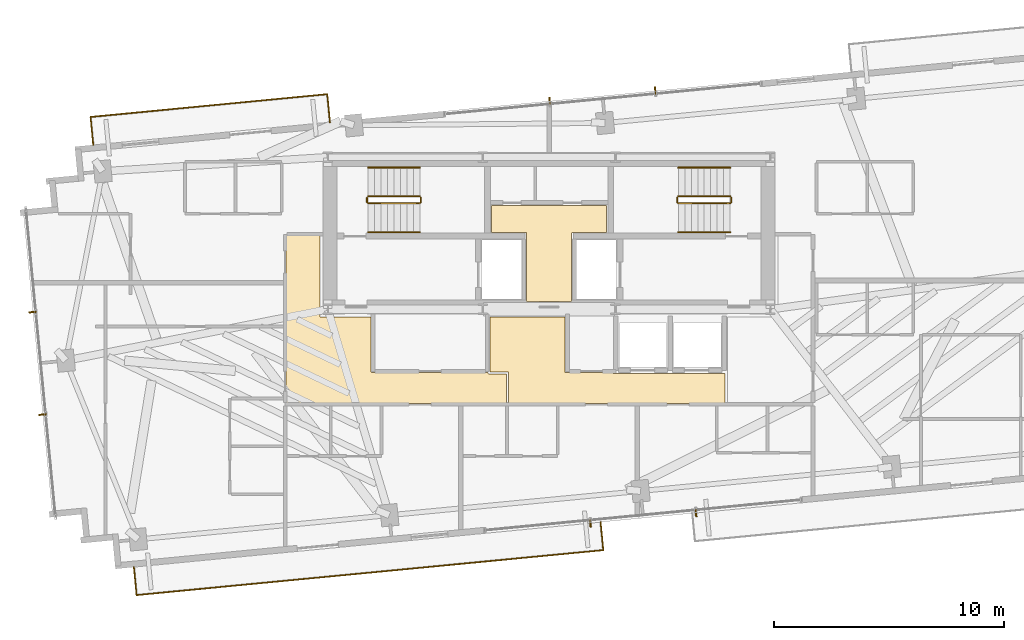
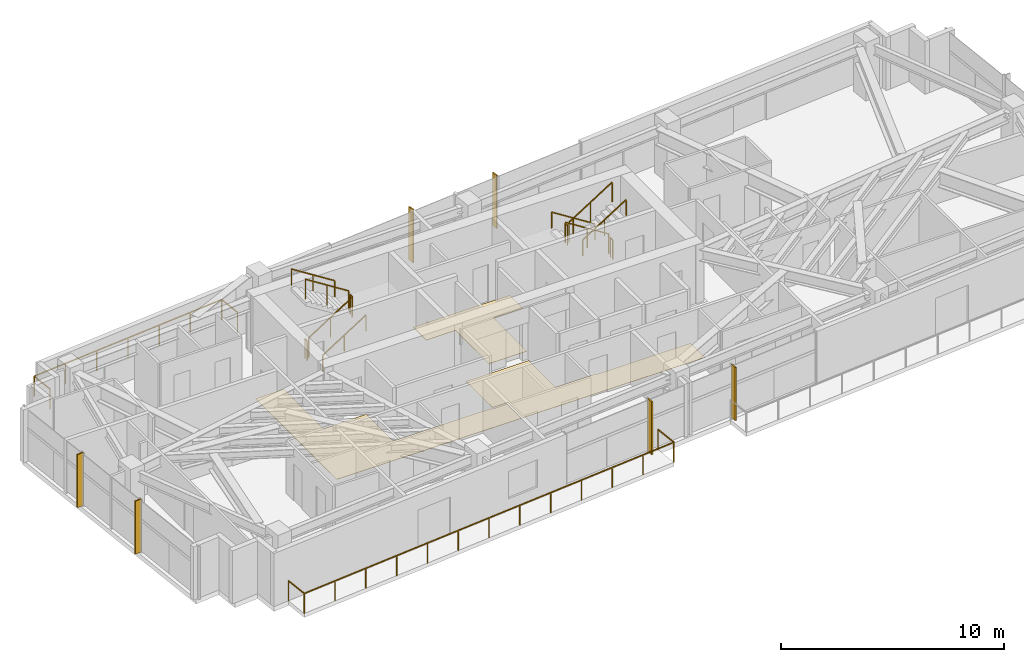
# One storey, part 17 of 18: 14 railings, 6 shading devices, 3 coverings.
"""IFC4 building model written with IfcOpenShell, lengths in metres."""

from ifc_helpers import new_model, si_unit, direction, frame, origin, origin_2d, place, context, subcontext, project, spatial, polyline, rectangle, outline, extrude, source, transform, mapped, material, layer, layer_set, type_object, type_shapes, element, save


model = new_model("IFC4")

# Units and contexts
model_context = context("Model", 3, precision=1e-05, world=origin(), true_north=direction((0.0, 1.0)))
body_context = subcontext(model_context, "Body", "Model", "MODEL_VIEW")
ifc_project = project(units=[si_unit("LENGTHUNIT", "METRE"), si_unit("AREAUNIT", "SQUARE_METRE"), si_unit("VOLUMEUNIT", "CUBIC_METRE"), si_unit("PLANEANGLEUNIT", "RADIAN"), si_unit("MASSUNIT", "GRAM", prefix="KILO")], contexts=[model_context])

# Site, building, storey
site_placement = place(None, origin())
site = spatial("IfcSite", under=ifc_project, at=site_placement, CompositionType="ELEMENT")
building_placement = place(site_placement, origin())
building = spatial("IfcBuilding", under=site, at=building_placement, Name="Astriad Promenade Condominiums", CompositionType="ELEMENT")
storey_placement = place(building_placement, frame((0.0, 0.0, 208.199951171875)))
storey = spatial("IfcBuildingStorey", under=building, at=storey_placement, Name="L60", CompositionType="ELEMENT", Elevation=208.199951171875)

# Coverings
ifc_material_1 = material(Name="Polished Lakefront Terrazzo Flooring")
ifc_layer = layer(ifc_material_1, 0.02001953125)
ifc_layer_set = layer_set([ifc_layer], Name="Polished Lakefront Terrazzo Flooring")
covering_type = type_object("IfcCoveringType", Name="COV-FLOR-TERRAZZO-20", PredefinedType="FLOORING", material=ifc_layer_set)
covering_1_placement = place(storey_placement, origin())
element("IfcCovering", 1, at=covering_1_placement, inside=storey, type_object=covering_type, Name="FLR-L60-CSL", PredefinedType="FLOORING", context=body_context, shape_type="SweptSolid", body=[
    extrude(outline(polyline([(36.97998046875, 20.699951171875), (36.97998046875, 17.739990234375), (35.02001953125, 17.739990234375), (35.02001953125, 20.699951171875), (35.019775390625, 20.703857421875), (35.019287109375, 20.707763671875), (35.018310546875, 20.711669921875), (35.01708984375, 20.71533203125), (35.015380859375, 20.718994140625), (35.01318359375, 20.72216796875), (35.010986328125, 20.725341796875), (35.00830078125, 20.728271484375), (35.00537109375, 20.73095703125), (35.002197265625, 20.7333984375), (34.998779296875, 20.7353515625), (34.995361328125, 20.737060546875), (34.99169921875, 20.73828125), (34.98779296875, 20.7392578125), (34.98388671875, 20.73974609375), (34.97998046875, 20.739990234375), (33.5, 20.739990234375), (33.5, 21.909912109375), (38.5, 21.909912109375), (38.5, 20.739990234375), (37.02001953125, 20.739990234375), (37.01611328125, 20.73974609375), (37.01220703125, 20.7392578125), (37.00830078125, 20.73828125), (37.004638671875, 20.737060546875), (37.001220703125, 20.7353515625), (36.997802734375, 20.7333984375), (36.99462890625, 20.73095703125), (36.99169921875, 20.728271484375), (36.989013671875, 20.725341796875), (36.98681640625, 20.72216796875), (36.984619140625, 20.718994140625), (36.98291015625, 20.71533203125), (36.981689453125, 20.711669921875), (36.980712890625, 20.707763671875), (36.980224609375, 20.703857421875), (36.97998046875, 20.699951171875)])), origin(), (0.0, 0.0, 1.0), 0.02001953125),
])
covering_2_placement = place(storey_placement, origin())
element("IfcCovering", 2, at=covering_2_placement, inside=storey, type_object=covering_type, Name="FLR-L60-LLB", PredefinedType="FLOORING", context=body_context, shape_type="SweptSolid", body=[
    extrude(outline(polyline([(43.639892578125, 14.610107421875), (43.639892578125, 13.320068359375), (34.239990234375, 13.320068359375), (34.239990234375, 14.64990234375), (34.23974609375, 14.65380859375), (34.2392578125, 14.65771484375), (34.23828125, 14.66162109375), (34.237060546875, 14.665283203125), (34.2353515625, 14.6689453125), (34.2333984375, 14.672119140625), (34.23095703125, 14.67529296875), (34.228271484375, 14.67822265625), (34.225341796875, 14.680908203125), (34.22216796875, 14.683349609375), (34.218994140625, 14.685302734375), (34.21533203125, 14.68701171875), (34.211669921875, 14.688232421875), (34.207763671875, 14.689208984375), (34.203857421875, 14.689697265625), (34.199951171875, 14.68994140625), (33.43994140625, 14.68994140625), (33.43994140625, 17.06005859375), (36.679931640625, 17.06005859375), (36.679931640625, 14.699951171875), (36.68017578125, 14.696044921875), (36.680908203125, 14.692138671875), (36.681640625, 14.6884765625), (36.68310546875, 14.684814453125), (36.684814453125, 14.68115234375), (36.686767578125, 14.677734375), (36.689208984375, 14.674560546875), (36.691650390625, 14.671630859375), (36.694580078125, 14.669189453125), (36.69775390625, 14.666748046875), (36.701171875, 14.664794921875), (36.70458984375, 14.6630859375), (36.70849609375, 14.66162109375), (36.712158203125, 14.660888671875), (36.716064453125, 14.66015625), (36.719970703125, 14.659912109375), (38.760009765625, 14.659912109375), (38.760009765625, 14.64990234375), (38.76025390625, 14.64599609375), (38.7607421875, 14.64208984375), (38.76171875, 14.638427734375), (38.762939453125, 14.634765625), (38.7646484375, 14.631103515625), (38.7666015625, 14.627685546875), (38.76904296875, 14.62451171875), (38.771728515625, 14.62158203125), (38.774658203125, 14.619140625), (38.77783203125, 14.61669921875), (38.781005859375, 14.61474609375), (38.78466796875, 14.613037109375), (38.788330078125, 14.61181640625), (38.792236328125, 14.61083984375), (38.796142578125, 14.610107421875), (38.800048828125, 14.610107421875), (43.639892578125, 14.610107421875)])), origin(), (0.0, 0.0, 1.0), 0.02001953125),
])
covering_3_placement = place(storey_placement, origin())
element("IfcCovering", 3, at=covering_3_placement, inside=storey, type_object=covering_type, Name="FLR-L60-COR-1", PredefinedType="FLOORING", context=body_context, shape_type="SweptSolid", body=[
    extrude(outline(polyline([(24.590087890625, 20.610107421875), (26.06005859375, 20.610107421875), (26.06005859375, 17.10009765625), (26.060302734375, 17.09619140625), (26.060791015625, 17.09228515625), (26.061767578125, 17.08837890625), (26.06298828125, 17.084716796875), (26.064697265625, 17.0810546875), (26.066650390625, 17.077880859375), (26.069091796875, 17.07470703125), (26.07177734375, 17.07177734375), (26.07470703125, 17.069091796875), (26.077880859375, 17.066650390625), (26.0810546875, 17.064697265625), (26.084716796875, 17.06298828125), (26.08837890625, 17.061767578125), (26.09228515625, 17.060791015625), (26.09619140625, 17.060302734375), (26.10009765625, 17.06005859375), (28.280029296875, 17.06005859375), (28.280029296875, 14.699951171875), (28.2802734375, 14.696044921875), (28.28076171875, 14.692138671875), (28.28173828125, 14.6884765625), (28.282958984375, 14.684814453125), (28.28466796875, 14.68115234375), (28.28662109375, 14.677734375), (28.2890625, 14.674560546875), (28.291748046875, 14.671630859375), (28.294677734375, 14.669189453125), (28.2978515625, 14.666748046875), (28.301025390625, 14.664794921875), (28.3046875, 14.6630859375), (28.308349609375, 14.66162109375), (28.312255859375, 14.660888671875), (28.316162109375, 14.66015625), (28.320068359375, 14.659912109375), (33.35009765625, 14.659912109375), (33.35009765625, 14.64892578125), (33.35009765625, 14.64501953125), (33.350830078125, 14.64111328125), (33.35107421875, 14.64013671875), (33.351318359375, 14.639404296875), (33.351318359375, 14.638427734375), (33.352294921875, 14.634521484375), (33.353759765625, 14.630859375), (33.3544921875, 14.629150390625), (33.356201171875, 14.6259765625), (33.356689453125, 14.625), (33.35888671875, 14.62158203125), (33.3603515625, 14.61962890625), (33.36083984375, 14.618896484375), (33.361083984375, 14.61865234375), (33.361328125, 14.618408203125), (33.361572265625, 14.617919921875), (33.36328125, 14.615966796875), (33.365966796875, 14.61328125), (33.367919921875, 14.611572265625), (33.368408203125, 14.611328125), (33.36865234375, 14.611083984375), (33.368896484375, 14.61083984375), (33.36962890625, 14.6103515625), (33.37158203125, 14.60888671875), (33.375, 14.606689453125), (33.3759765625, 14.606201171875), (33.379150390625, 14.6044921875), (33.3798828125, 14.604248046875), (33.380859375, 14.603759765625), (33.384521484375, 14.602294921875), (33.388427734375, 14.601318359375), (33.389404296875, 14.601318359375), (33.39013671875, 14.60107421875), (33.39111328125, 14.600830078125), (33.39501953125, 14.60009765625), (33.39892578125, 14.60009765625), (34.14990234375, 14.60009765625), (34.14990234375, 13.320068359375), (24.590087890625, 13.320068359375), (24.590087890625, 20.610107421875)])), origin(), (0.0, 0.0, 1.0), 0.02001953125),
])

# Shading devices
ifc_material_2 = material(Name="Anodised aluminium 6063-T6 Black Fin", Category="aluminium")
shading_device_type = type_object("IfcShadingDeviceType", Name="FIN-BLACK-260", PredefinedType="USERDEFINED", material=ifc_material_2)
shared_shape_1 = source(origin(), body_context, "Body", "SweptSolid", [
    extrude(rectangle(XDim=0.06494140625, YDim=0.320068359375, at=origin_2d()), origin(), (0.0, 0.0, 1.0), 2.89990234375),
])
type_shapes(shading_device_type, [shared_shape_1])
for number, where, z_axis, x_axis, name in (
    (4, (14.021484375, 12.83203125, 0.0), (0.0, 0.0, 1.0), (-0.09584575252, 0.995396198367, 0.0), "CW-L60-W-FIN-01"),
    (5, (13.59326171875, 17.278076171875, 0.0), (0.0, 0.0, 1.0), (-0.09584575252, 0.995396198367, 0.0), "CW-L60-W-FIN-02"),
    (6, (36.02783203125, 26.447265625, 0.0), (0.0, 0.0, 1.0), (0.995396198367, 0.09584575252, 0.0), "CW-L60-N-FIN-01"),
    (7, (40.606689453125, 26.88818359375, 0.0), (0.0, 0.0, 1.0), (0.995396198367, 0.09584575252, 0.0), "CW-L60-N-FIN-02"),
    (8, (42.3720703125, 8.552734375, 0.0), (0.0, 0.0, 1.0), (-0.995396198367, -0.09584575252, 0.0), "CW-L60-S-FIN-01"),
    (9, (37.793212890625, 8.11181640625, 0.0), (0.0, 0.0, 1.0), (-0.995396198367, -0.09584575252, 0.0), "CW-L60-S-FIN-02"),
):
    element("IfcShadingDevice", number, at=place(storey_placement, frame(where, z_axis=z_axis, x_axis=x_axis)), inside=storey, type_object=shading_device_type, Name=name, ObjectType="FIN", PredefinedType="USERDEFINED", context=body_context, shape_type="MappedRepresentation", body=[
        mapped(shared_shape_1, transform((0.0, 0.0, 0.0), scale=1.0)),
    ])

# Railings
ifc_material_3 = material(Name="Laminated Glass and Stainless Steel Balustrade", Category="steel")
railing_type_1 = type_object("IfcRailingType", Name="GRD-BALC-1120", PredefinedType="BALUSTRADE", material=ifc_material_3)
shared_shape_2 = source(origin(), body_context, "Body", "SweptSolid", [
    extrude(rectangle(XDim=0.048095703125, YDim=0.048095703125, at=origin_2d()), frame((0.0, 0.0, 1.09619140625), z_axis=(0.095857307208, -0.99539508571, 0.0), x_axis=(0.99539508571, 0.095857307208, 0.0)), (0.0, 0.0, 1.0), 1.219970703125),
    extrude(rectangle(XDim=0.048095703125, YDim=0.048095703125, at=origin_2d()), frame((0.116943359375, -1.21435546875, 1.09619140625), z_axis=(0.995395671195, 0.095851227258, 0.0), x_axis=(-0.095851227258, 0.995395671195, 0.0)), (0.0, 0.0, 1.0), 20.341064453125),
    extrude(rectangle(XDim=0.048095703125, YDim=0.048095703125, at=origin_2d()), frame((20.3642578125, 0.7353515625, 1.09619140625), z_axis=(-0.095857307208, 0.99539508571, 0.0), x_axis=(-0.99539508571, -0.095857307208, 0.0)), (0.0, 0.0, 1.0), 1.219970703125),
    extrude(rectangle(XDim=0.0419921875, YDim=0.0419921875, at=origin_2d()), origin(), (0.0, 0.0, 1.0), 1.072021484375),
    extrude(rectangle(XDim=0.0419921875, YDim=0.0419921875, at=origin_2d()), frame((0.116943359375, -1.21435546875, 0.0)), (0.0, 0.0, 1.0), 1.072021484375),
    extrude(rectangle(XDim=0.0419921875, YDim=0.0419921875, at=origin_2d()), frame((1.80419921875, -1.0517578125, 0.0)), (0.0, 0.0, 1.0), 1.072021484375),
    extrude(rectangle(XDim=0.0419921875, YDim=0.0419921875, at=origin_2d()), frame((3.491455078125, -0.889404296875, 0.0)), (0.0, 0.0, 1.0), 1.072021484375),
    extrude(rectangle(XDim=0.0419921875, YDim=0.0419921875, at=origin_2d()), frame((5.1787109375, -0.72705078125, 0.0)), (0.0, 0.0, 1.0), 1.072021484375),
    extrude(rectangle(XDim=0.0419921875, YDim=0.0419921875, at=origin_2d()), frame((6.865966796875, -0.564453125, 0.0)), (0.0, 0.0, 1.0), 1.072021484375),
    extrude(rectangle(XDim=0.0419921875, YDim=0.0419921875, at=origin_2d()), frame((8.55322265625, -0.40185546875, 0.0)), (0.0, 0.0, 1.0), 1.072021484375),
    extrude(rectangle(XDim=0.0419921875, YDim=0.0419921875, at=origin_2d()), frame((10.24072265625, -0.239501953125, 0.0)), (0.0, 0.0, 1.0), 1.072021484375),
    extrude(rectangle(XDim=0.0419921875, YDim=0.0419921875, at=origin_2d()), frame((11.927978515625, -0.0771484375, 0.0)), (0.0, 0.0, 1.0), 1.072021484375),
    extrude(rectangle(XDim=0.0419921875, YDim=0.0419921875, at=origin_2d()), frame((13.615234375, 0.08544921875, 0.0)), (0.0, 0.0, 1.0), 1.072021484375),
    extrude(rectangle(XDim=0.0419921875, YDim=0.0419921875, at=origin_2d()), frame((15.302490234375, 0.248046875, 0.0)), (0.0, 0.0, 1.0), 1.072021484375),
    extrude(rectangle(XDim=0.0419921875, YDim=0.0419921875, at=origin_2d()), frame((16.98974609375, 0.410400390625, 0.0)), (0.0, 0.0, 1.0), 1.072021484375),
    extrude(rectangle(XDim=0.0419921875, YDim=0.0419921875, at=origin_2d()), frame((18.677001953125, 0.57275390625, 0.0)), (0.0, 0.0, 1.0), 1.072021484375),
    extrude(rectangle(XDim=0.0419921875, YDim=0.0419921875, at=origin_2d()), frame((20.3642578125, 0.7353515625, 0.0)), (0.0, 0.0, 1.0), 1.072021484375),
    extrude(rectangle(XDim=0.0419921875, YDim=0.0419921875, at=origin_2d()), frame((20.247314453125, 1.94970703125, 0.0)), (0.0, 0.0, 1.0), 1.072021484375),
])
railing_1_placement = place(storey_placement, frame((17.987060546875, 6.21484375, 0.0)))
element("IfcRailing", 10, at=railing_1_placement, inside=storey, type_object=railing_type_1, Name="GRD-BALC-L60-SW", PredefinedType="BALUSTRADE", context=body_context, shape_type="MappedRepresentation", body=[
    mapped(shared_shape_2, transform((0.0, 0.0, 0.0), scale=1.0)),
])
shared_shape_3 = source(origin(), body_context, "Body", "SweptSolid", [
    extrude(rectangle(XDim=0.048095703125, YDim=0.048095703125, at=origin_2d()), frame((0.0, 0.0, 1.09619140625), z_axis=(-0.095857307208, 0.99539508571, 0.0), x_axis=(-0.99539508571, -0.095857307208, 0.0)), (0.0, 0.0, 1.0), 1.219970703125),
    extrude(rectangle(XDim=0.048095703125, YDim=0.048095703125, at=origin_2d()), frame((-0.116943359375, 1.21435546875, 1.09619140625), z_axis=(-0.995394623586, -0.095862105842, 0.0), x_axis=(0.095862105842, -0.995394623586, 0.0)), (0.0, 0.0, 1.0), 10.317138671875),
    extrude(rectangle(XDim=0.048095703125, YDim=0.048095703125, at=origin_2d()), frame((-10.386474609375, 0.225341796875, 1.09619140625), z_axis=(0.095876405589, -0.995393246336, 0.0), x_axis=(0.995393246336, 0.095876405589, 0.0)), (0.0, 0.0, 1.0), 1.2197265625),
    extrude(rectangle(XDim=0.0419921875, YDim=0.0419921875, at=origin_2d()), origin(), (0.0, 0.0, 1.0), 1.072021484375),
    extrude(rectangle(XDim=0.0419921875, YDim=0.0419921875, at=origin_2d()), frame((-0.116943359375, 1.21435546875, 0.0)), (0.0, 0.0, 1.0), 1.072021484375),
    extrude(rectangle(XDim=0.0419921875, YDim=0.0419921875, at=origin_2d()), frame((-1.82861328125, 1.049560546875, 0.0)), (0.0, 0.0, 1.0), 1.072021484375),
    extrude(rectangle(XDim=0.0419921875, YDim=0.0419921875, at=origin_2d()), frame((-3.5400390625, 0.884765625, 0.0)), (0.0, 0.0, 1.0), 1.072021484375),
    extrude(rectangle(XDim=0.0419921875, YDim=0.0419921875, at=origin_2d()), frame((-5.251708984375, 0.7197265625, 0.0)), (0.0, 0.0, 1.0), 1.072021484375),
    extrude(rectangle(XDim=0.0419921875, YDim=0.0419921875, at=origin_2d()), frame((-6.96337890625, 0.554931640625, 0.0)), (0.0, 0.0, 1.0), 1.072021484375),
    extrude(rectangle(XDim=0.0419921875, YDim=0.0419921875, at=origin_2d()), frame((-8.6748046875, 0.39013671875, 0.0)), (0.0, 0.0, 1.0), 1.072021484375),
    extrude(rectangle(XDim=0.0419921875, YDim=0.0419921875, at=origin_2d()), frame((-10.386474609375, 0.225341796875, 0.0)), (0.0, 0.0, 1.0), 1.072021484375),
    extrude(rectangle(XDim=0.0419921875, YDim=0.0419921875, at=origin_2d()), frame((-10.26953125, -0.98876953125, 0.0)), (0.0, 0.0, 1.0), 1.072021484375),
])
type_shapes(railing_type_1, [shared_shape_2, shared_shape_3])
railing_2_placement = place(storey_placement, frame((26.492919921875, 25.51904296875, 0.0)))
element("IfcRailing", 11, at=railing_2_placement, inside=storey, type_object=railing_type_1, Name="GRD-BALC-L60-NW", PredefinedType="BALUSTRADE", context=body_context, shape_type="MappedRepresentation", body=[
    mapped(shared_shape_3, transform((0.0, 0.0, 0.0), scale=1.0)),
])
ifc_material_4 = material(Name="Painted Galvanised Steel Guardrail", Category="steel")
railing_type_2 = type_object("IfcRailingType", Name="GRD-STAIR-1100", PredefinedType="GUARDRAIL", material=ifc_material_4)
shared_shape_4 = source(origin(), body_context, "Body", "SweptSolid", [
    extrude(rectangle(XDim=0.048095703125, YDim=0.048095703125, at=origin_2d()), frame((0.0, 0.0, 1.076171875), z_axis=(0.0, 1.0, 0.0), x_axis=(-1.0, 0.0, 0.0)), (0.0, 0.0, 1.0), 0.199951171875),
    extrude(rectangle(XDim=0.0419921875, YDim=0.0419921875, at=origin_2d()), origin(), (0.0, 0.0, 1.0), 1.052001953125),
    extrude(rectangle(XDim=0.0419921875, YDim=0.0419921875, at=origin_2d()), frame((0.0, 0.199951171875, 0.0)), (0.0, 0.0, 1.0), 1.052001953125),
])
for number, where, name in (
    (12, (30.43994140625, 22.050048828125, 1.60009765625), "L60 ST-1 stair guard 2"),
    (13, (28.10009765625, 22.050048828125, 0.0), "L60 ST-1 stair guard 4"),
):
    element("IfcRailing", number, at=place(storey_placement, frame(where)), inside=storey, type_object=railing_type_2, Name=name, PredefinedType="GUARDRAIL", context=body_context, shape_type="MappedRepresentation", body=[
        mapped(shared_shape_4, transform((0.0, 0.0, 0.0), scale=1.0)),
    ])
shared_shape_5 = source(origin(), body_context, "Body", "SweptSolid", [
    extrude(rectangle(XDim=0.048095703125, YDim=0.048095703125, at=origin_2d()), frame((0.0, 0.0, 1.076171875), z_axis=(0.84418770128, 0.0, 0.536047689118), x_axis=(0.0, 1.0, 0.0)), (0.0, 0.0, 1.0), 2.6533203125),
    extrude(rectangle(XDim=0.0419921875, YDim=0.0419921875, at=origin_2d()), origin(), (0.0, 0.0, 1.0), 1.052001953125),
    extrude(rectangle(XDim=0.0419921875, YDim=0.0419921875, at=origin_2d()), frame((1.1201171875, 0.0, 0.711181640625)), (0.0, 0.0, 1.0), 1.052001953125),
    extrude(rectangle(XDim=0.0419921875, YDim=0.0419921875, at=origin_2d()), frame((2.239990234375, 0.0, 1.42236328125)), (0.0, 0.0, 1.0), 1.052001953125),
])
railing_3_placement = place(storey_placement, frame((28.14990234375, 22.0, 0.177734375)))
element("IfcRailing", 14, at=railing_3_placement, inside=storey, type_object=railing_type_2, Name="L60 ST-1 stair guard 1", PredefinedType="GUARDRAIL", context=body_context, shape_type="MappedRepresentation", body=[
    mapped(shared_shape_5, transform((0.0, 0.0, 0.0), scale=1.0)),
])
shared_shape_6 = source(origin(), body_context, "Body", "SweptSolid", [
    extrude(rectangle(XDim=0.048095703125, YDim=0.048095703125, at=origin_2d()), frame((0.0, 0.0, 1.076171875), z_axis=(-0.8442293374, 0.0, 0.53598211339), x_axis=(0.0, -1.0, 0.0)), (0.0, 0.0, 1.0), 2.6533203125),
    extrude(rectangle(XDim=0.0419921875, YDim=0.0419921875, at=origin_2d()), origin(), (0.0, 0.0, 1.0), 1.052001953125),
    extrude(rectangle(XDim=0.0419921875, YDim=0.0419921875, at=origin_2d()), frame((-1.1201171875, 0.0, 0.7109375)), (0.0, 0.0, 1.0), 1.052001953125),
    extrude(rectangle(XDim=0.0419921875, YDim=0.0419921875, at=origin_2d()), frame((-2.239990234375, 0.0, 1.422119140625)), (0.0, 0.0, 1.0), 1.052001953125),
])
railing_4_placement = place(storey_placement, frame((30.389892578125, 22.300048828125, 1.77783203125)))
element("IfcRailing", 15, at=railing_4_placement, inside=storey, type_object=railing_type_2, Name="L60 ST-1 stair guard 3", PredefinedType="GUARDRAIL", context=body_context, shape_type="MappedRepresentation", body=[
    mapped(shared_shape_6, transform((0.0, 0.0, 0.0), scale=1.0)),
])
ifc_material_5 = material(Name="Brushed Stainless Steel Handrail", Category="steel")
railing_type_3 = type_object("IfcRailingType", Name="HRL-STAIR-920", PredefinedType="HANDRAIL", material=ifc_material_5)
shared_shape_7 = source(origin(), body_context, "Body", "SweptSolid", [
    extrude(rectangle(XDim=0.048095703125, YDim=0.048095703125, at=origin_2d()), frame((0.0, 0.0, 0.8759765625), z_axis=(0.84418770128, 0.0, 0.536047689118), x_axis=(0.0, 1.0, 0.0)), (0.0, 0.0, 1.0), 2.6533203125),
    extrude(rectangle(XDim=0.0419921875, YDim=0.0419921875, at=origin_2d()), origin(), (0.0, 0.0, 1.0), 0.851806640625),
    extrude(rectangle(XDim=0.0419921875, YDim=0.0419921875, at=origin_2d()), frame((1.1201171875, 0.0, 0.711181640625)), (0.0, 0.0, 1.0), 0.851806640625),
    extrude(rectangle(XDim=0.0419921875, YDim=0.0419921875, at=origin_2d()), frame((2.239990234375, 0.0, 1.42236328125)), (0.0, 0.0, 1.0), 0.851806640625),
])
railing_5_placement = place(storey_placement, frame((28.14990234375, 20.75, 0.177734375)))
element("IfcRailing", 16, at=railing_5_placement, inside=storey, type_object=railing_type_3, Name="L60 ST-1 stair handrail 1", PredefinedType="HANDRAIL", context=body_context, shape_type="MappedRepresentation", body=[
    mapped(shared_shape_7, transform((0.0, 0.0, 0.0), scale=1.0)),
])
shared_shape_8 = source(origin(), body_context, "Body", "SweptSolid", [
    extrude(rectangle(XDim=0.048095703125, YDim=0.048095703125, at=origin_2d()), frame((0.0, 0.0, 0.8759765625), z_axis=(-0.8442293374, 0.0, 0.53598211339), x_axis=(0.0, -1.0, 0.0)), (0.0, 0.0, 1.0), 2.6533203125),
    extrude(rectangle(XDim=0.0419921875, YDim=0.0419921875, at=origin_2d()), origin(), (0.0, 0.0, 1.0), 0.851806640625),
    extrude(rectangle(XDim=0.0419921875, YDim=0.0419921875, at=origin_2d()), frame((-1.1201171875, 0.0, 0.7109375)), (0.0, 0.0, 1.0), 0.851806640625),
    extrude(rectangle(XDim=0.0419921875, YDim=0.0419921875, at=origin_2d()), frame((-2.239990234375, 0.0, 1.422119140625)), (0.0, 0.0, 1.0), 0.851806640625),
])
railing_6_placement = place(storey_placement, frame((30.389892578125, 23.550048828125, 1.77783203125)))
element("IfcRailing", 17, at=railing_6_placement, inside=storey, type_object=railing_type_3, Name="L60 ST-1 stair handrail 2", PredefinedType="HANDRAIL", context=body_context, shape_type="MappedRepresentation", body=[
    mapped(shared_shape_8, transform((0.0, 0.0, 0.0), scale=1.0)),
])
shared_shape_9 = source(origin(), body_context, "Body", "SweptSolid", [
    extrude(rectangle(XDim=0.048095703125, YDim=0.048095703125, at=origin_2d()), frame((0.0, 0.0, 1.076171875), z_axis=(0.8442293374, 0.0, 0.53598211339), x_axis=(0.0, 1.0, 0.0)), (0.0, 0.0, 1.0), 2.6533203125),
    extrude(rectangle(XDim=0.0419921875, YDim=0.0419921875, at=origin_2d()), origin(), (0.0, 0.0, 1.0), 1.052001953125),
    extrude(rectangle(XDim=0.0419921875, YDim=0.0419921875, at=origin_2d()), frame((1.1201171875, 0.0, 0.7109375)), (0.0, 0.0, 1.0), 1.052001953125),
    extrude(rectangle(XDim=0.0419921875, YDim=0.0419921875, at=origin_2d()), frame((2.239990234375, 0.0, 1.422119140625)), (0.0, 0.0, 1.0), 1.052001953125),
])
railing_7_placement = place(storey_placement, frame((41.610107421875, 22.0, 1.77783203125)))
element("IfcRailing", 18, at=railing_7_placement, inside=storey, type_object=railing_type_2, Name="L60 ST-2 stair guard 3", PredefinedType="GUARDRAIL", context=body_context, shape_type="MappedRepresentation", body=[
    mapped(shared_shape_9, transform((0.0, 0.0, 0.0), scale=1.0)),
])
shared_shape_10 = source(origin(), body_context, "Body", "SweptSolid", [
    extrude(rectangle(XDim=0.048095703125, YDim=0.048095703125, at=origin_2d()), frame((0.0, 0.0, 1.076171875), z_axis=(-0.84418770128, 0.0, 0.536047689118), x_axis=(0.0, -1.0, 0.0)), (0.0, 0.0, 1.0), 2.6533203125),
    extrude(rectangle(XDim=0.0419921875, YDim=0.0419921875, at=origin_2d()), origin(), (0.0, 0.0, 1.0), 1.052001953125),
    extrude(rectangle(XDim=0.0419921875, YDim=0.0419921875, at=origin_2d()), frame((-1.1201171875, 0.0, 0.711181640625)), (0.0, 0.0, 1.0), 1.052001953125),
    extrude(rectangle(XDim=0.0419921875, YDim=0.0419921875, at=origin_2d()), frame((-2.239990234375, 0.0, 1.42236328125)), (0.0, 0.0, 1.0), 1.052001953125),
])
railing_8_placement = place(storey_placement, frame((43.85009765625, 22.300048828125, 0.177734375)))
element("IfcRailing", 19, at=railing_8_placement, inside=storey, type_object=railing_type_2, Name="L60 ST-2 stair guard 1", PredefinedType="GUARDRAIL", context=body_context, shape_type="MappedRepresentation", body=[
    mapped(shared_shape_10, transform((0.0, 0.0, 0.0), scale=1.0)),
])
shared_shape_11 = source(origin(), body_context, "Body", "SweptSolid", [
    extrude(rectangle(XDim=0.048095703125, YDim=0.048095703125, at=origin_2d()), frame((0.0, 0.0, 0.8759765625), z_axis=(0.8442293374, 0.0, 0.53598211339), x_axis=(0.0, 1.0, 0.0)), (0.0, 0.0, 1.0), 2.6533203125),
    extrude(rectangle(XDim=0.0419921875, YDim=0.0419921875, at=origin_2d()), origin(), (0.0, 0.0, 1.0), 0.851806640625),
    extrude(rectangle(XDim=0.0419921875, YDim=0.0419921875, at=origin_2d()), frame((1.1201171875, 0.0, 0.7109375)), (0.0, 0.0, 1.0), 0.851806640625),
    extrude(rectangle(XDim=0.0419921875, YDim=0.0419921875, at=origin_2d()), frame((2.239990234375, 0.0, 1.422119140625)), (0.0, 0.0, 1.0), 0.851806640625),
])
railing_9_placement = place(storey_placement, frame((41.610107421875, 20.75, 1.77783203125)))
element("IfcRailing", 20, at=railing_9_placement, inside=storey, type_object=railing_type_3, Name="L60 ST-2 stair handrail 2", PredefinedType="HANDRAIL", context=body_context, shape_type="MappedRepresentation", body=[
    mapped(shared_shape_11, transform((0.0, 0.0, 0.0), scale=1.0)),
])
shared_shape_12 = source(origin(), body_context, "Body", "SweptSolid", [
    extrude(rectangle(XDim=0.048095703125, YDim=0.048095703125, at=origin_2d()), frame((0.0, 0.0, 0.8759765625), z_axis=(-0.84418770128, 0.0, 0.536047689118), x_axis=(0.0, -1.0, 0.0)), (0.0, 0.0, 1.0), 2.6533203125),
    extrude(rectangle(XDim=0.0419921875, YDim=0.0419921875, at=origin_2d()), origin(), (0.0, 0.0, 1.0), 0.851806640625),
    extrude(rectangle(XDim=0.0419921875, YDim=0.0419921875, at=origin_2d()), frame((-1.1201171875, 0.0, 0.711181640625)), (0.0, 0.0, 1.0), 0.851806640625),
    extrude(rectangle(XDim=0.0419921875, YDim=0.0419921875, at=origin_2d()), frame((-2.239990234375, 0.0, 1.42236328125)), (0.0, 0.0, 1.0), 0.851806640625),
])
type_shapes(railing_type_3, [shared_shape_7, shared_shape_8, shared_shape_11, shared_shape_12])
railing_10_placement = place(storey_placement, frame((43.85009765625, 23.550048828125, 0.177734375)))
element("IfcRailing", 21, at=railing_10_placement, inside=storey, type_object=railing_type_3, Name="L60 ST-2 stair handrail 1", PredefinedType="HANDRAIL", context=body_context, shape_type="MappedRepresentation", body=[
    mapped(shared_shape_12, transform((0.0, 0.0, 0.0), scale=1.0)),
])
shared_shape_13 = source(origin(), body_context, "Body", "SweptSolid", [
    extrude(rectangle(XDim=0.048095703125, YDim=0.048095703125, at=origin_2d()), frame((0.0, 0.0, 1.076171875), z_axis=(0.0, -1.0, 0.0), x_axis=(1.0, 0.0, 0.0)), (0.0, 0.0, 1.0), 0.199951171875),
    extrude(rectangle(XDim=0.0419921875, YDim=0.0419921875, at=origin_2d()), origin(), (0.0, 0.0, 1.0), 1.052001953125),
    extrude(rectangle(XDim=0.0419921875, YDim=0.0419921875, at=origin_2d()), frame((0.0, -0.199951171875, 0.0)), (0.0, 0.0, 1.0), 1.052001953125),
])
type_shapes(railing_type_2, [shared_shape_4, shared_shape_5, shared_shape_6, shared_shape_9, shared_shape_10, shared_shape_13])
for number, where, name in (
    (22, (41.56005859375, 22.25, 1.60009765625), "L60 ST-2 stair guard 2"),
    (23, (43.89990234375, 22.25, 0.0), "L60 ST-2 stair guard 4"),
):
    element("IfcRailing", number, at=place(storey_placement, frame(where)), inside=storey, type_object=railing_type_2, Name=name, PredefinedType="GUARDRAIL", context=body_context, shape_type="MappedRepresentation", body=[
        mapped(shared_shape_13, transform((0.0, 0.0, 0.0), scale=1.0)),
    ])

save(model, "model.ifc")
